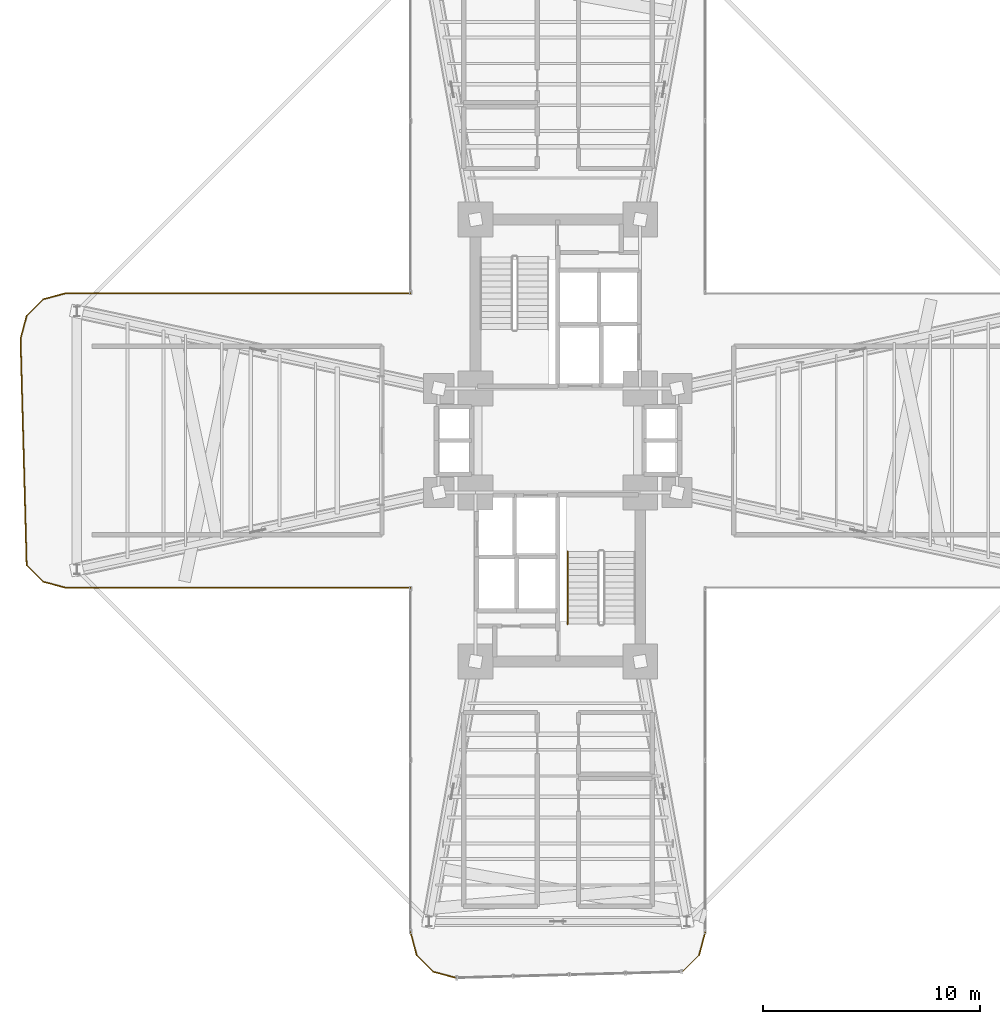
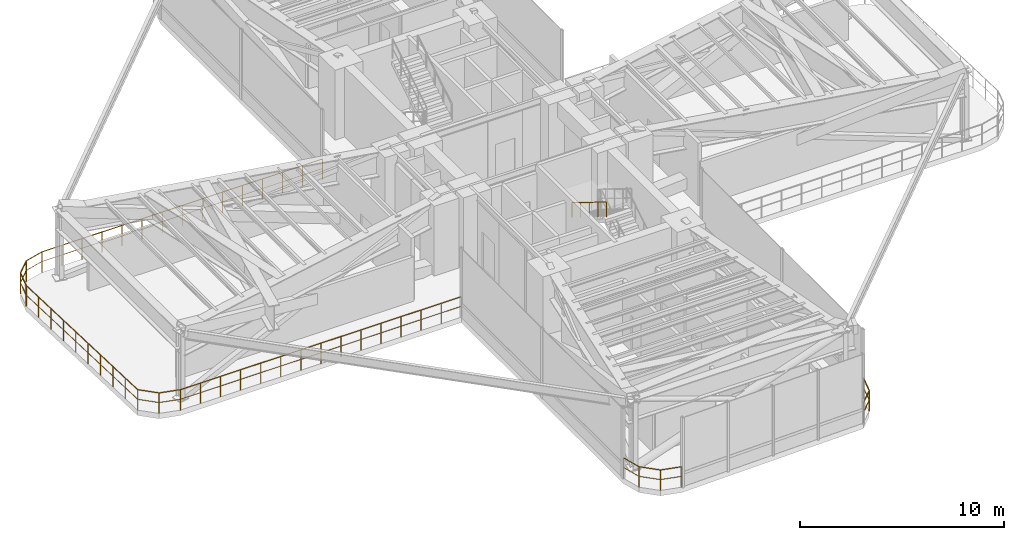
# One storey, part 16 of 18: 14 railings.
"""IFC4 building model written with IfcOpenShell, lengths in metres."""

from ifc_helpers import new_model, si_unit, direction, frame, origin, origin_2d, place, context, subcontext, project, spatial, circle, extrude, material, type_object, element, save


model = new_model("IFC4")

# Units and contexts
model_context = context("Model", 3, precision=1e-05, world=origin(), true_north=direction((0.0, 1.0)))
body_context = subcontext(model_context, "Body", "Model", "MODEL_VIEW")
ifc_project = project(units=[si_unit("LENGTHUNIT", "METRE"), si_unit("AREAUNIT", "SQUARE_METRE"), si_unit("VOLUMEUNIT", "CUBIC_METRE"), si_unit("PLANEANGLEUNIT", "RADIAN"), si_unit("MASSUNIT", "GRAM", prefix="KILO")], contexts=[model_context])

# Site, building, storey
site_placement = place(None, origin())
site = spatial("IfcSite", under=ifc_project, at=site_placement, CompositionType="ELEMENT")
building_placement = place(site_placement, origin())
building = spatial("IfcBuilding", under=site, at=building_placement, Name="Sahyath Konkavel Grand Hotel", CompositionType="ELEMENT")
storey_placement = place(building_placement, frame((0.0, 0.0, 74.5)))
storey = spatial("IfcBuildingStorey", under=building, at=storey_placement, Name="L20", CompositionType="ELEMENT", Elevation=74.5)

# Railings
ifc_material_1 = material(Name="Anodised Bronze Aluminium", Category="aluminium")
railing_type_1 = type_object("IfcRailingType", Name="RLG-STAIR-HND", PredefinedType="HANDRAIL", material=ifc_material_1)
railing_1_placement = place(storey_placement, frame((0.449951171875, -5.1201171875, 2.423095703125)))
element("IfcRailing", 1, at=railing_1_placement, inside=storey, type_object=railing_type_1, Name="L20 ST-2 stair handrail 2", PredefinedType="HANDRAIL", context=body_context, shape_type="SweptSolid", body=[
    extrude(circle(Radius=0.02392578125, at=origin_2d()), frame((0.0, -0.001708984375, 0.876953125), z_axis=(0.0, -0.850606129759, 0.525803396734), x_axis=(1.0, 0.0, 0.0)), (0.0, 0.0, 1.0), 3.946044921875),
    extrude(circle(Radius=0.02099609375, at=origin_2d()), origin(), (0.0, 0.0, 1.0), 0.851806640625),
    extrude(circle(Radius=0.02099609375, at=origin_2d()), frame((0.0, -0.83984375, 0.519287109375)), (0.0, 0.0, 1.0), 0.851806640625),
    extrude(circle(Radius=0.02099609375, at=origin_2d()), frame((0.0, -1.679931640625, 1.03857421875)), (0.0, 0.0, 1.0), 0.851806640625),
    extrude(circle(Radius=0.02099609375, at=origin_2d()), frame((0.0, -2.52001953125, 1.5576171875)), (0.0, 0.0, 1.0), 0.851806640625),
    extrude(circle(Radius=0.02099609375, at=origin_2d()), frame((0.0, -3.35986328125, 2.076904296875)), (0.0, 0.0, 1.0), 0.851806640625),
])
ifc_material_2 = material(Name="Warm Buff Sandstone & Bronze Balustrade", Category="masonry")
railing_type_2 = type_object("IfcRailingType", Name="RLG-TERR-1250", PredefinedType="BALUSTRADE", material=ifc_material_2)
railing_2_placement = place(storey_placement, frame((-6.800048828125, 6.800048828125, 0.0)))
element("IfcRailing", 2, at=railing_2_placement, inside=storey, type_object=railing_type_2, Name="L20 Fire Refuge Perimeter Guard 16", PredefinedType="BALUSTRADE", context=body_context, shape_type="SweptSolid", body=[
    extrude(circle(Radius=0.02392578125, at=origin_2d()), frame((-0.001953125, 0.0, 1.22607421875), z_axis=(-1.0, 0.0, 0.0), x_axis=(0.0, -1.0, 0.0)), (0.0, 0.0, 1.0), 15.89599609375),
    extrude(circle(Radius=0.01416015625, at=origin_2d()), frame((-0.001953125, 0.0, 0.64990234375), z_axis=(-1.0, 0.0, 0.0), x_axis=(0.0, -1.0, 0.0)), (0.0, 0.0, 1.0), 15.89599609375),
    extrude(circle(Radius=0.02099609375, at=origin_2d()), origin(), (0.0, 0.0, 1.0), 1.201904296875),
    extrude(circle(Radius=0.02099609375, at=origin_2d()), frame((-1.1357421875, 0.0, 0.0)), (0.0, 0.0, 1.0), 1.201904296875),
    extrude(circle(Radius=0.02099609375, at=origin_2d()), frame((-2.271484375, 0.0, 0.0)), (0.0, 0.0, 1.0), 1.201904296875),
    extrude(circle(Radius=0.02099609375, at=origin_2d()), frame((-3.4072265625, 0.0, 0.0)), (0.0, 0.0, 1.0), 1.201904296875),
    extrude(circle(Radius=0.02099609375, at=origin_2d()), frame((-4.542724609375, 0.0, 0.0)), (0.0, 0.0, 1.0), 1.201904296875),
    extrude(circle(Radius=0.02099609375, at=origin_2d()), frame((-5.678466796875, 0.0, 0.0)), (0.0, 0.0, 1.0), 1.201904296875),
    extrude(circle(Radius=0.02099609375, at=origin_2d()), frame((-6.814208984375, 0.0, 0.0)), (0.0, 0.0, 1.0), 1.201904296875),
    extrude(circle(Radius=0.02099609375, at=origin_2d()), frame((-7.949951171875, 0.0, 0.0)), (0.0, 0.0, 1.0), 1.201904296875),
    extrude(circle(Radius=0.02099609375, at=origin_2d()), frame((-9.085693359375, 0.0, 0.0)), (0.0, 0.0, 1.0), 1.201904296875),
    extrude(circle(Radius=0.02099609375, at=origin_2d()), frame((-10.221435546875, 0.0, 0.0)), (0.0, 0.0, 1.0), 1.201904296875),
    extrude(circle(Radius=0.02099609375, at=origin_2d()), frame((-11.357177734375, 0.0, 0.0)), (0.0, 0.0, 1.0), 1.201904296875),
    extrude(circle(Radius=0.02099609375, at=origin_2d()), frame((-12.49267578125, 0.0, 0.0)), (0.0, 0.0, 1.0), 1.201904296875),
    extrude(circle(Radius=0.02099609375, at=origin_2d()), frame((-13.62841796875, 0.0, 0.0)), (0.0, 0.0, 1.0), 1.201904296875),
    extrude(circle(Radius=0.02099609375, at=origin_2d()), frame((-14.76416015625, 0.0, 0.0)), (0.0, 0.0, 1.0), 1.201904296875),
    extrude(circle(Radius=0.02099609375, at=origin_2d()), frame((-15.89990234375, 0.0, 0.0)), (0.0, 0.0, 1.0), 1.201904296875),
])
railing_3_placement = place(storey_placement, frame((-22.699951171875, 6.800048828125, 0.0)))
element("IfcRailing", 3, at=railing_3_placement, inside=storey, type_object=railing_type_2, Name="L20 Fire Refuge Perimeter Guard 17", PredefinedType="BALUSTRADE", context=body_context, shape_type="SweptSolid", body=[
    extrude(circle(Radius=0.02392578125, at=origin_2d()), frame((-0.001953125, -0.00048828125, 1.22607421875), z_axis=(-0.965951058412, -0.25872485917, 0.0), x_axis=(0.25872485917, -0.965951058412, 0.0)), (0.0, 0.0, 1.0), 1.0830078125),
    extrude(circle(Radius=0.01416015625, at=origin_2d()), frame((-0.001953125, -0.00048828125, 0.64990234375), z_axis=(-0.965951058412, -0.25872485917, 0.0), x_axis=(0.25872485917, -0.965951058412, 0.0)), (0.0, 0.0, 1.0), 1.0830078125),
    extrude(circle(Radius=0.02099609375, at=origin_2d()), origin(), (0.0, 0.0, 1.0), 1.201904296875),
    extrude(circle(Radius=0.02099609375, at=origin_2d()), frame((-1.050048828125, -0.28125, 0.0)), (0.0, 0.0, 1.0), 1.201904296875),
])
railing_4_placement = place(storey_placement, frame((-23.75, 6.518798828125, 0.0)))
element("IfcRailing", 4, at=railing_4_placement, inside=storey, type_object=railing_type_2, Name="L20 Fire Refuge Perimeter Guard 18", PredefinedType="BALUSTRADE", context=body_context, shape_type="SweptSolid", body=[
    extrude(circle(Radius=0.02392578125, at=origin_2d()), frame((-0.00146484375, -0.00146484375, 1.22607421875), z_axis=(-0.707106781187, -0.707106781187, 0.0), x_axis=(0.707106781187, -0.707106781187, 0.0)), (0.0, 0.0, 1.0), 1.083251953125),
    extrude(circle(Radius=0.01416015625, at=origin_2d()), frame((-0.00146484375, -0.00146484375, 0.64990234375), z_axis=(-0.707106781187, -0.707106781187, 0.0), x_axis=(0.707106781187, -0.707106781187, 0.0)), (0.0, 0.0, 1.0), 1.083251953125),
    extrude(circle(Radius=0.02099609375, at=origin_2d()), origin(), (0.0, 0.0, 1.0), 1.201904296875),
    extrude(circle(Radius=0.02099609375, at=origin_2d()), frame((-0.768798828125, -0.768798828125, 0.0)), (0.0, 0.0, 1.0), 1.201904296875),
])
railing_5_placement = place(storey_placement, frame((-24.518798828125, 5.75, 0.0)))
element("IfcRailing", 5, at=railing_5_placement, inside=storey, type_object=railing_type_2, Name="L20 Fire Refuge Perimeter Guard 19", PredefinedType="BALUSTRADE", context=body_context, shape_type="SweptSolid", body=[
    extrude(circle(Radius=0.02392578125, at=origin_2d()), frame((-0.00048828125, -0.001953125, 1.22607421875), z_axis=(-0.25872485917, -0.965951058412, 0.0), x_axis=(0.965951058412, -0.25872485917, 0.0)), (0.0, 0.0, 1.0), 1.0830078125),
    extrude(circle(Radius=0.01416015625, at=origin_2d()), frame((-0.00048828125, -0.001953125, 0.64990234375), z_axis=(-0.25872485917, -0.965951058412, 0.0), x_axis=(0.965951058412, -0.25872485917, 0.0)), (0.0, 0.0, 1.0), 1.0830078125),
    extrude(circle(Radius=0.02099609375, at=origin_2d()), origin(), (0.0, 0.0, 1.0), 1.201904296875),
    extrude(circle(Radius=0.02099609375, at=origin_2d()), frame((-0.28125, -1.050048828125, 0.0)), (0.0, 0.0, 1.0), 1.201904296875),
])
railing_6_placement = place(storey_placement, frame((-24.800048828125, 4.699951171875, 0.0)))
element("IfcRailing", 6, at=railing_6_placement, inside=storey, type_object=railing_type_2, Name="L20 Fire Refuge Perimeter Guard 20", PredefinedType="BALUSTRADE", context=body_context, shape_type="SweptSolid", body=[
    extrude(circle(Radius=0.02392578125, at=origin_2d()), frame((0.0, -0.001953125, 1.22607421875), z_axis=(0.026904258888, -0.99963801491, 0.0), x_axis=(0.99963801491, 0.026904258888, 0.0)), (0.0, 0.0, 1.0), 10.44970703125),
    extrude(circle(Radius=0.01416015625, at=origin_2d()), frame((0.0, -0.001953125, 0.64990234375), z_axis=(0.026904258888, -0.99963801491, 0.0), x_axis=(0.99963801491, 0.026904258888, 0.0)), (0.0, 0.0, 1.0), 10.44970703125),
    extrude(circle(Radius=0.02099609375, at=origin_2d()), origin(), (0.0, 0.0, 1.0), 1.201904296875),
    extrude(circle(Radius=0.02099609375, at=origin_2d()), frame((0.03125, -1.1611328125, 0.0)), (0.0, 0.0, 1.0), 1.201904296875),
    extrude(circle(Radius=0.02099609375, at=origin_2d()), frame((0.0625, -2.322265625, 0.0)), (0.0, 0.0, 1.0), 1.201904296875),
    extrude(circle(Radius=0.02099609375, at=origin_2d()), frame((0.09375, -3.4833984375, 0.0)), (0.0, 0.0, 1.0), 1.201904296875),
    extrude(circle(Radius=0.02099609375, at=origin_2d()), frame((0.125, -4.64453125, 0.0)), (0.0, 0.0, 1.0), 1.201904296875),
    extrude(circle(Radius=0.02099609375, at=origin_2d()), frame((0.15625, -5.805419921875, 0.0)), (0.0, 0.0, 1.0), 1.201904296875),
    extrude(circle(Radius=0.02099609375, at=origin_2d()), frame((0.1875, -6.966552734375, 0.0)), (0.0, 0.0, 1.0), 1.201904296875),
    extrude(circle(Radius=0.02099609375, at=origin_2d()), frame((0.21875, -8.127685546875, 0.0)), (0.0, 0.0, 1.0), 1.201904296875),
    extrude(circle(Radius=0.02099609375, at=origin_2d()), frame((0.25, -9.288818359375, 0.0)), (0.0, 0.0, 1.0), 1.201904296875),
    extrude(circle(Radius=0.02099609375, at=origin_2d()), frame((0.28125, -10.449951171875, 0.0)), (0.0, 0.0, 1.0), 1.201904296875),
])
railing_7_placement = place(storey_placement, frame((-24.518798828125, -5.75, 0.0)))
element("IfcRailing", 7, at=railing_7_placement, inside=storey, type_object=railing_type_2, Name="L20 Fire Refuge Perimeter Guard 21", PredefinedType="BALUSTRADE", context=body_context, shape_type="SweptSolid", body=[
    extrude(circle(Radius=0.02392578125, at=origin_2d()), frame((0.00146484375, -0.00146484375, 1.22607421875), z_axis=(0.707106781187, -0.707106781187, 0.0), x_axis=(0.707106781187, 0.707106781187, 0.0)), (0.0, 0.0, 1.0), 1.083251953125),
    extrude(circle(Radius=0.01416015625, at=origin_2d()), frame((0.00146484375, -0.00146484375, 0.64990234375), z_axis=(0.707106781187, -0.707106781187, 0.0), x_axis=(0.707106781187, 0.707106781187, 0.0)), (0.0, 0.0, 1.0), 1.083251953125),
    extrude(circle(Radius=0.02099609375, at=origin_2d()), origin(), (0.0, 0.0, 1.0), 1.201904296875),
    extrude(circle(Radius=0.02099609375, at=origin_2d()), frame((0.768798828125, -0.768798828125, 0.0)), (0.0, 0.0, 1.0), 1.201904296875),
])
railing_8_placement = place(storey_placement, frame((-23.75, -6.518798828125, 0.0)))
element("IfcRailing", 8, at=railing_8_placement, inside=storey, type_object=railing_type_2, Name="L20 Fire Refuge Perimeter Guard 22", PredefinedType="BALUSTRADE", context=body_context, shape_type="SweptSolid", body=[
    extrude(circle(Radius=0.02392578125, at=origin_2d()), frame((0.001953125, -0.00048828125, 1.22607421875), z_axis=(0.965951058412, -0.25872485917, 0.0), x_axis=(0.25872485917, 0.965951058412, 0.0)), (0.0, 0.0, 1.0), 1.0830078125),
    extrude(circle(Radius=0.01416015625, at=origin_2d()), frame((0.001953125, -0.00048828125, 0.64990234375), z_axis=(0.965951058412, -0.25872485917, 0.0), x_axis=(0.25872485917, 0.965951058412, 0.0)), (0.0, 0.0, 1.0), 1.0830078125),
    extrude(circle(Radius=0.02099609375, at=origin_2d()), origin(), (0.0, 0.0, 1.0), 1.201904296875),
    extrude(circle(Radius=0.02099609375, at=origin_2d()), frame((1.050048828125, -0.28125, 0.0)), (0.0, 0.0, 1.0), 1.201904296875),
])
railing_9_placement = place(storey_placement, frame((-22.699951171875, -6.800048828125, 0.0)))
element("IfcRailing", 9, at=railing_9_placement, inside=storey, type_object=railing_type_2, Name="L20 Fire Refuge Perimeter Guard 23", PredefinedType="BALUSTRADE", context=body_context, shape_type="SweptSolid", body=[
    extrude(circle(Radius=0.02392578125, at=origin_2d()), frame((0.001953125, 0.0, 1.22607421875), z_axis=(1.0, 0.0, 0.0), x_axis=(0.0, 1.0, 0.0)), (0.0, 0.0, 1.0), 15.89599609375),
    extrude(circle(Radius=0.01416015625, at=origin_2d()), frame((0.001953125, 0.0, 0.64990234375), z_axis=(1.0, 0.0, 0.0), x_axis=(0.0, 1.0, 0.0)), (0.0, 0.0, 1.0), 15.89599609375),
    extrude(circle(Radius=0.02099609375, at=origin_2d()), origin(), (0.0, 0.0, 1.0), 1.201904296875),
    extrude(circle(Radius=0.02099609375, at=origin_2d()), frame((1.1357421875, 0.0, 0.0)), (0.0, 0.0, 1.0), 1.201904296875),
    extrude(circle(Radius=0.02099609375, at=origin_2d()), frame((2.271484375, 0.0, 0.0)), (0.0, 0.0, 1.0), 1.201904296875),
    extrude(circle(Radius=0.02099609375, at=origin_2d()), frame((3.4072265625, 0.0, 0.0)), (0.0, 0.0, 1.0), 1.201904296875),
    extrude(circle(Radius=0.02099609375, at=origin_2d()), frame((4.542724609375, 0.0, 0.0)), (0.0, 0.0, 1.0), 1.201904296875),
    extrude(circle(Radius=0.02099609375, at=origin_2d()), frame((5.678466796875, 0.0, 0.0)), (0.0, 0.0, 1.0), 1.201904296875),
    extrude(circle(Radius=0.02099609375, at=origin_2d()), frame((6.814208984375, 0.0, 0.0)), (0.0, 0.0, 1.0), 1.201904296875),
    extrude(circle(Radius=0.02099609375, at=origin_2d()), frame((7.949951171875, 0.0, 0.0)), (0.0, 0.0, 1.0), 1.201904296875),
    extrude(circle(Radius=0.02099609375, at=origin_2d()), frame((9.085693359375, 0.0, 0.0)), (0.0, 0.0, 1.0), 1.201904296875),
    extrude(circle(Radius=0.02099609375, at=origin_2d()), frame((10.221435546875, 0.0, 0.0)), (0.0, 0.0, 1.0), 1.201904296875),
    extrude(circle(Radius=0.02099609375, at=origin_2d()), frame((11.357177734375, 0.0, 0.0)), (0.0, 0.0, 1.0), 1.201904296875),
    extrude(circle(Radius=0.02099609375, at=origin_2d()), frame((12.49267578125, 0.0, 0.0)), (0.0, 0.0, 1.0), 1.201904296875),
    extrude(circle(Radius=0.02099609375, at=origin_2d()), frame((13.62841796875, 0.0, 0.0)), (0.0, 0.0, 1.0), 1.201904296875),
    extrude(circle(Radius=0.02099609375, at=origin_2d()), frame((14.76416015625, 0.0, 0.0)), (0.0, 0.0, 1.0), 1.201904296875),
    extrude(circle(Radius=0.02099609375, at=origin_2d()), frame((15.89990234375, 0.0, 0.0)), (0.0, 0.0, 1.0), 1.201904296875),
])
railing_10_placement = place(storey_placement, frame((-6.800048828125, -22.699951171875, 0.0)))
element("IfcRailing", 10, at=railing_10_placement, inside=storey, type_object=railing_type_2, Name="L20 Fire Refuge Perimeter Guard 25", PredefinedType="BALUSTRADE", context=body_context, shape_type="SweptSolid", body=[
    extrude(circle(Radius=0.02392578125, at=origin_2d()), frame((0.00048828125, -0.001953125, 1.22607421875), z_axis=(0.25872485917, -0.965951058412, 0.0), x_axis=(0.965951058412, 0.25872485917, 0.0)), (0.0, 0.0, 1.0), 1.0830078125),
    extrude(circle(Radius=0.01416015625, at=origin_2d()), frame((0.00048828125, -0.001953125, 0.64990234375), z_axis=(0.25872485917, -0.965951058412, 0.0), x_axis=(0.965951058412, 0.25872485917, 0.0)), (0.0, 0.0, 1.0), 1.0830078125),
    extrude(circle(Radius=0.02099609375, at=origin_2d()), origin(), (0.0, 0.0, 1.0), 1.201904296875),
    extrude(circle(Radius=0.02099609375, at=origin_2d()), frame((0.28125, -1.050048828125, 0.0)), (0.0, 0.0, 1.0), 1.201904296875),
])
railing_11_placement = place(storey_placement, frame((-6.518798828125, -23.75, 0.0)))
element("IfcRailing", 11, at=railing_11_placement, inside=storey, type_object=railing_type_2, Name="L20 Fire Refuge Perimeter Guard 26", PredefinedType="BALUSTRADE", context=body_context, shape_type="SweptSolid", body=[
    extrude(circle(Radius=0.02392578125, at=origin_2d()), frame((0.00146484375, -0.00146484375, 1.22607421875), z_axis=(0.707106781187, -0.707106781187, 0.0), x_axis=(0.707106781187, 0.707106781187, 0.0)), (0.0, 0.0, 1.0), 1.083251953125),
    extrude(circle(Radius=0.01416015625, at=origin_2d()), frame((0.00146484375, -0.00146484375, 0.64990234375), z_axis=(0.707106781187, -0.707106781187, 0.0), x_axis=(0.707106781187, 0.707106781187, 0.0)), (0.0, 0.0, 1.0), 1.083251953125),
    extrude(circle(Radius=0.02099609375, at=origin_2d()), origin(), (0.0, 0.0, 1.0), 1.201904296875),
    extrude(circle(Radius=0.02099609375, at=origin_2d()), frame((0.768798828125, -0.768798828125, 0.0)), (0.0, 0.0, 1.0), 1.201904296875),
])
railing_12_placement = place(storey_placement, frame((-5.75, -24.518798828125, 0.0)))
element("IfcRailing", 12, at=railing_12_placement, inside=storey, type_object=railing_type_2, Name="L20 Fire Refuge Perimeter Guard 27", PredefinedType="BALUSTRADE", context=body_context, shape_type="SweptSolid", body=[
    extrude(circle(Radius=0.02392578125, at=origin_2d()), frame((0.001953125, -0.00048828125, 1.22607421875), z_axis=(0.965951058412, -0.25872485917, 0.0), x_axis=(0.25872485917, 0.965951058412, 0.0)), (0.0, 0.0, 1.0), 1.0830078125),
    extrude(circle(Radius=0.01416015625, at=origin_2d()), frame((0.001953125, -0.00048828125, 0.64990234375), z_axis=(0.965951058412, -0.25872485917, 0.0), x_axis=(0.25872485917, 0.965951058412, 0.0)), (0.0, 0.0, 1.0), 1.0830078125),
    extrude(circle(Radius=0.02099609375, at=origin_2d()), origin(), (0.0, 0.0, 1.0), 1.201904296875),
    extrude(circle(Radius=0.02099609375, at=origin_2d()), frame((1.050048828125, -0.28125, 0.0)), (0.0, 0.0, 1.0), 1.201904296875),
])
railing_13_placement = place(storey_placement, frame((5.75, -24.518798828125, 0.0)))
element("IfcRailing", 13, at=railing_13_placement, inside=storey, type_object=railing_type_2, Name="L20 Fire Refuge Perimeter Guard 29", PredefinedType="BALUSTRADE", context=body_context, shape_type="SweptSolid", body=[
    extrude(circle(Radius=0.02392578125, at=origin_2d()), frame((0.00146484375, 0.00146484375, 1.22607421875), z_axis=(0.707106781187, 0.707106781187, 0.0), x_axis=(-0.707106781187, 0.707106781187, 0.0)), (0.0, 0.0, 1.0), 1.083251953125),
    extrude(circle(Radius=0.01416015625, at=origin_2d()), frame((0.00146484375, 0.00146484375, 0.64990234375), z_axis=(0.707106781187, 0.707106781187, 0.0), x_axis=(-0.707106781187, 0.707106781187, 0.0)), (0.0, 0.0, 1.0), 1.083251953125),
    extrude(circle(Radius=0.02099609375, at=origin_2d()), origin(), (0.0, 0.0, 1.0), 1.201904296875),
    extrude(circle(Radius=0.02099609375, at=origin_2d()), frame((0.768798828125, 0.768798828125, 0.0)), (0.0, 0.0, 1.0), 1.201904296875),
])
railing_14_placement = place(storey_placement, frame((6.518798828125, -23.75, 0.0)))
element("IfcRailing", 14, at=railing_14_placement, inside=storey, type_object=railing_type_2, Name="L20 Fire Refuge Perimeter Guard 30", PredefinedType="BALUSTRADE", context=body_context, shape_type="SweptSolid", body=[
    extrude(circle(Radius=0.02392578125, at=origin_2d()), frame((0.00048828125, 0.001953125, 1.22607421875), z_axis=(0.25872485917, 0.965951058412, 0.0), x_axis=(-0.965951058412, 0.25872485917, 0.0)), (0.0, 0.0, 1.0), 1.0830078125),
    extrude(circle(Radius=0.01416015625, at=origin_2d()), frame((0.00048828125, 0.001953125, 0.64990234375), z_axis=(0.25872485917, 0.965951058412, 0.0), x_axis=(-0.965951058412, 0.25872485917, 0.0)), (0.0, 0.0, 1.0), 1.0830078125),
    extrude(circle(Radius=0.02099609375, at=origin_2d()), origin(), (0.0, 0.0, 1.0), 1.201904296875),
    extrude(circle(Radius=0.02099609375, at=origin_2d()), frame((0.28125, 1.050048828125, 0.0)), (0.0, 0.0, 1.0), 1.201904296875),
])

save(model, "model.ifc")
